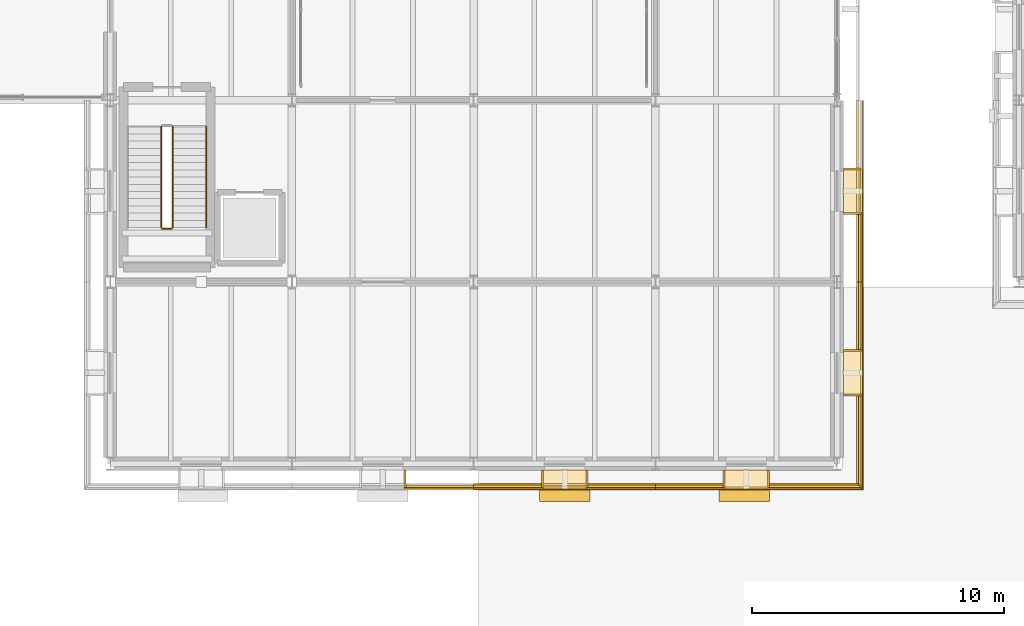
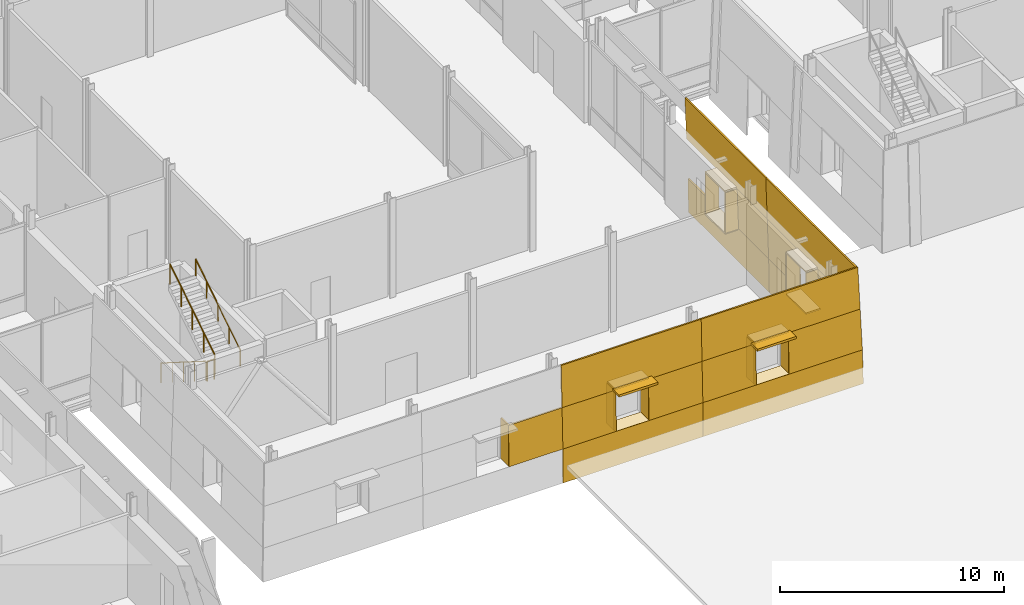
# One storey, part 103 of 120: 33 coverings, 4 railings, 2 shading devices.
"""IFC4 building model written with IfcOpenShell, lengths in metres."""

from ifc_helpers import new_model, si_unit, direction, frame, origin, origin_2d, place, context, subcontext, project, spatial, polyline, rectangle, circle, outline, extrude, material, layer, layer_set, type_object, element, save


model = new_model("IFC4")

# Units and contexts
model_context = context("Model", 3, precision=1e-05, world=origin(), true_north=direction((0.0, 1.0)))
body_context = subcontext(model_context, "Body", "Model", "MODEL_VIEW")
ifc_project = project(units=[si_unit("LENGTHUNIT", "METRE"), si_unit("AREAUNIT", "SQUARE_METRE"), si_unit("VOLUMEUNIT", "CUBIC_METRE"), si_unit("PLANEANGLEUNIT", "RADIAN"), si_unit("MASSUNIT", "GRAM", prefix="KILO")], contexts=[model_context])

# Site, building, storey
site_placement = place(None, origin())
site = spatial("IfcSite", under=ifc_project, at=site_placement, CompositionType="ELEMENT")
building_placement = place(site_placement, origin())
building = spatial("IfcBuilding", under=site, at=building_placement, Name="Narikvali Park Central Library", CompositionType="ELEMENT")
storey_placement = place(building_placement, origin())
storey = spatial("IfcBuildingStorey", under=building, at=storey_placement, Name="L00", CompositionType="ELEMENT", Elevation=0.0)

# Coverings
ifc_material_1 = material(Name="White Honed Limestone Cladding", Category="masonry")
ifc_layer_1 = layer(ifc_material_1, 0.0849609375, Name="White Honed Limestone Cladding")
ifc_layer_set_1 = layer_set([ifc_layer_1], Name="White Honed Limestone Cladding")
covering_type_1 = type_object("IfcCoveringType", Name="Battered White Limestone Facade Cladding Panel", PredefinedType="CLADDING", material=ifc_layer_set_1)
covering_1_placement = place(storey_placement, frame((40.43994140625, 49.39208984375, 0.949951171875), z_axis=(0.0, -0.999435139525, 0.033606574995), x_axis=(1.0, 0.0, 0.0)))
element("IfcCovering", 1, at=covering_1_placement, inside=storey, type_object=covering_type_1, Name="V4 L00 S Battered Limestone Jamb Pier R B02", PredefinedType="CLADDING", context=body_context, shape_type="SweptSolid", body=[
    extrude(outline(polyline([(0.0, 0.0), (2.760009765625, 0.0), (2.760009765625, 2.201194539668489), (0.0, 2.201194539668489), (0.0, 0.0)])), origin(), (0.0, 0.0, -1.0), 0.0849609375),
])
covering_2_placement = place(storey_placement, frame((43.199951171875, 49.360107421875, -0.8798828125), z_axis=(0.0, -0.999847289173, 0.017475649751), x_axis=(1.0, 0.0, 0.0)))
element("IfcCovering", 2, at=covering_2_placement, inside=storey, type_object=covering_type_1, Name="V4 L00 S Battered Limestone Spandrel B03", PredefinedType="CLADDING", context=body_context, shape_type="SweptSolid", body=[
    extrude(outline(polyline([(0.0, 0.0), (7.199951171875, 0.0), (7.199951171875, 1.8301134625161029), (0.0, 1.8301134625161029), (0.0, 0.0)])), origin(), (0.0, 0.0, -1.0), 0.0849609375),
])
covering_3_placement = place(storey_placement, frame((43.199951171875, 49.466064453125, 3.14990234375), z_axis=(0.0, -0.999431101062, 0.033726461852), x_axis=(1.0, 0.0, 0.0)))
element("IfcCovering", 3, at=covering_3_placement, inside=storey, type_object=covering_type_1, Name="V4 L00 S Battered Limestone Lintel B03", PredefinedType="CLADDING", context=body_context, shape_type="SweptSolid", body=[
    extrude(outline(polyline([(0.0, 0.0), (7.199951171875, 0.0), (7.199951171875, 2.2512807512274695), (0.0, 2.2512807512274695), (0.0, 0.0)])), origin(), (0.0, 0.0, -1.0), 0.0849609375),
])
for number, where, z_axis, x_axis, name in (
    (4, (43.199951171875, 49.39208984375, 0.949951171875), (0.0, -0.999435139525, 0.033606574995), (1.0, 0.0, 0.0), "V4 L00 S Battered Limestone Jamb Pier L B03"),
    (5, (47.639892578125, 49.39208984375, 0.949951171875), (0.0, -0.999435139525, 0.033606574995), (1.0, 0.0, 0.0), "V4 L00 S Battered Limestone Jamb Pier R B03"),
):
    element("IfcCovering", number, at=place(storey_placement, frame(where, z_axis=z_axis, x_axis=x_axis)), inside=storey, type_object=covering_type_1, Name=name, PredefinedType="CLADDING", context=body_context, shape_type="SweptSolid", body=[
        extrude(outline(polyline([(0.0, 0.0), (2.760009765625, 0.0), (2.760009765625, 2.201194539668489), (0.0, 2.201194539668489), (0.0, 0.0)])), origin(), (0.0, 0.0, -1.0), 0.0849609375),
    ])
covering_4_placement = place(storey_placement, frame((50.39990234375, 49.360107421875, -0.8798828125), z_axis=(0.0, -0.999847289173, 0.017475649751), x_axis=(1.0, 0.0, 0.0)))
element("IfcCovering", 6, at=covering_4_placement, inside=storey, type_object=covering_type_1, Name="V4 L00 S Battered Limestone Spandrel B04", PredefinedType="CLADDING", context=body_context, shape_type="SweptSolid", body=[
    extrude(outline(polyline([(0.0, 0.0), (8.239990234375, 0.0), (8.2080078125, 1.8301134625161029), (0.0, 1.8301134625161029), (0.0, 0.0)])), origin(), (0.0, 0.0, -1.0), 0.0849609375),
])
covering_5_placement = place(storey_placement, frame((50.39990234375, 49.466064453125, 3.14990234375), z_axis=(0.0, -0.999431101062, 0.033726461852), x_axis=(1.0, 0.0, 0.0)))
element("IfcCovering", 7, at=covering_5_placement, inside=storey, type_object=covering_type_1, Name="V4 L00 S Battered Limestone Lintel B04", PredefinedType="CLADDING", context=body_context, shape_type="SweptSolid", body=[
    extrude(outline(polyline([(0.0, 0.0), (8.134033203125, 0.0), (8.05810546875, 2.2512807512274695), (0.0, 2.2512807512274695), (0.0, 0.0)])), origin(), (0.0, 0.0, -1.0), 0.0849609375),
])
covering_6_placement = place(storey_placement, frame((50.39990234375, 49.39208984375, 0.949951171875), z_axis=(0.0, -0.999435139525, 0.033606574995), x_axis=(1.0, 0.0, 0.0)))
element("IfcCovering", 8, at=covering_6_placement, inside=storey, type_object=covering_type_1, Name="V4 L00 S Battered Limestone Jamb Pier L B04", PredefinedType="CLADDING", context=body_context, shape_type="SweptSolid", body=[
    extrude(outline(polyline([(0.0, 0.0), (2.760009765625, 0.0), (2.760009765625, 2.201194539668489), (0.0, 2.201194539668489), (0.0, 0.0)])), origin(), (0.0, 0.0, -1.0), 0.0849609375),
])
covering_7_placement = place(storey_placement, frame((54.840087890625, 49.39208984375, 0.949951171875), z_axis=(0.0, -0.999435139525, 0.033606574995), x_axis=(1.0, 0.0, 0.0)))
element("IfcCovering", 9, at=covering_7_placement, inside=storey, type_object=covering_type_1, Name="V4 L00 S Battered Limestone Jamb Pier R B04", PredefinedType="CLADDING", context=body_context, shape_type="SweptSolid", body=[
    extrude(outline(polyline([(0.0, 0.0), (3.767822265625, 0.0), (3.69384765625, 2.201194539668488), (0.0, 2.201194539668488), (0.0, 0.0)])), origin(), (0.0, 0.0, -1.0), 0.0849609375),
])
covering_8_placement = place(storey_placement, frame((58.639892578125, 49.445068359375, -0.8798828125), z_axis=(0.999847289173, 0.0, 0.017475649751), x_axis=(0.0, 1.0, 0.0)))
element("IfcCovering", 10, at=covering_8_placement, inside=storey, type_object=covering_type_1, Name="V4 L00 E Battered Limestone Spandrel B01", PredefinedType="CLADDING", context=body_context, shape_type="SweptSolid", body=[
    extrude(outline(polyline([(0.0, 0.0), (8.155029296875, 0.0), (8.155029296875, 1.8301134625161026), (0.031982421875, 1.8301134625161026), (0.0, 0.0)])), origin(), (0.0, 0.0, -1.0), 0.0849609375),
])
covering_9_placement = place(storey_placement, frame((58.533935546875, 49.551025390625, 3.14990234375), z_axis=(0.999431101062, 0.0, 0.033726461852), x_axis=(0.0, 1.0, 0.0)))
element("IfcCovering", 11, at=covering_9_placement, inside=storey, type_object=covering_type_1, Name="V4 L00 E Battered Limestone Lintel B01", PredefinedType="CLADDING", context=body_context, shape_type="SweptSolid", body=[
    extrude(outline(polyline([(0.0, 0.0), (8.049072265625, 0.0), (8.049072265625, 2.2512807512274695), (0.075927734375, 2.2512807512274695), (0.0, 0.0)])), origin(), (0.0, 0.0, -1.0), 0.0849609375),
])
covering_10_placement = place(storey_placement, frame((58.60791015625, 49.47705078125, 0.949951171875), z_axis=(0.999435139525, 0.0, 0.033606574995), x_axis=(0.0, 1.0, 0.0)))
element("IfcCovering", 12, at=covering_10_placement, inside=storey, type_object=covering_type_1, Name="V4 L00 E Battered Limestone Jamb Pier L B01", PredefinedType="CLADDING", context=body_context, shape_type="SweptSolid", body=[
    extrude(outline(polyline([(0.0, 0.0), (3.682861328125, 0.0), (3.682861328125, 2.201194539668488), (0.073974609375, 2.201194539668488), (0.0, 0.0)])), origin(), (0.0, 0.0, -1.0), 0.0849609375),
])
covering_11_placement = place(storey_placement, frame((58.60791015625, 54.840087890625, 0.949951171875), z_axis=(0.999435139525, 0.0, 0.033606574995), x_axis=(0.0, 1.0, 0.0)))
element("IfcCovering", 13, at=covering_11_placement, inside=storey, type_object=covering_type_1, Name="V4 L00 E Battered Limestone Jamb Pier R B01", PredefinedType="CLADDING", context=body_context, shape_type="SweptSolid", body=[
    extrude(outline(polyline([(0.0, 0.0), (2.760009765625, 0.0), (2.760009765625, 2.201194539668489), (0.0, 2.201194539668489), (0.0, 0.0)])), origin(), (0.0, 0.0, -1.0), 0.0849609375),
])
covering_12_placement = place(storey_placement, frame((58.639892578125, 57.60009765625, -0.8798828125), z_axis=(0.999847289173, 0.0, 0.017475649751), x_axis=(0.0, 1.0, 0.0)))
element("IfcCovering", 14, at=covering_12_placement, inside=storey, type_object=covering_type_1, Name="V4 L00 E Battered Limestone Spandrel B02", PredefinedType="CLADDING", context=body_context, shape_type="SweptSolid", body=[
    extrude(outline(polyline([(0.0, 0.0), (7.199951171875, 0.0), (7.199951171875, 1.8301134625161029), (0.0, 1.8301134625161029), (0.0, 0.0)])), origin(), (0.0, 0.0, -1.0), 0.0849609375),
])
covering_13_placement = place(storey_placement, frame((58.533935546875, 57.60009765625, 3.14990234375), z_axis=(0.999431101062, 0.0, 0.033726461852), x_axis=(0.0, 1.0, 0.0)))
element("IfcCovering", 15, at=covering_13_placement, inside=storey, type_object=covering_type_1, Name="V4 L00 E Battered Limestone Lintel B02", PredefinedType="CLADDING", context=body_context, shape_type="SweptSolid", body=[
    extrude(outline(polyline([(0.0, 0.0), (7.199951171875, 0.0), (7.199951171875, 2.2512807512274695), (0.0, 2.2512807512274695), (0.0, 0.0)])), origin(), (0.0, 0.0, -1.0), 0.0849609375),
])
covering_14_placement = place(storey_placement, frame((58.60791015625, 57.60009765625, 0.949951171875), z_axis=(0.999435139525, 0.0, 0.033606574995), x_axis=(0.0, 1.0, 0.0)))
element("IfcCovering", 16, at=covering_14_placement, inside=storey, type_object=covering_type_1, Name="V4 L00 E Battered Limestone Jamb Pier L B02", PredefinedType="CLADDING", context=body_context, shape_type="SweptSolid", body=[
    extrude(outline(polyline([(0.0, 0.0), (2.760009765625, 0.0), (2.760009765625, 2.201194539668489), (0.0, 2.201194539668489), (0.0, 0.0)])), origin(), (0.0, 0.0, -1.0), 0.0849609375),
])

# Shading devices
ifc_material_2 = material(Name="Anodised Bronze Aluminium", Category="aluminium")
ifc_layer_2 = layer(ifc_material_2, 0.1201171875, Name="Anodised Bronze Aluminium")
ifc_layer_set_2 = layer_set([ifc_layer_2], Name="Anodised Bronze Aluminium")
shading_device_type = type_object("IfcShadingDeviceType", Name="Bronze Classical Cornice Sun Brise-Soleil 650", PredefinedType="SHUTTER", material=ifc_layer_set_2)
for number, where, z_axis, x_axis, name in (
    (17, (46.800048828125, 49.22607421875, 3.14990234375), (0.0, 0.0, 1.0), (1.0, 0.0, 0.0), "V4 L00 Classical Bronze Brise-Soleil 03"),
    (18, (53.923095703125, 49.22607421875, 3.14990234375), (0.0, 0.0, 1.0), (1.0, 0.0, 0.0), "V4 L00 Classical Bronze Brise-Soleil 04"),
):
    element("IfcShadingDevice", number, at=place(storey_placement, frame(where, z_axis=z_axis, x_axis=x_axis)), inside=storey, type_object=shading_device_type, Name=name, PredefinedType="SHUTTER", context=body_context, shape_type="SweptSolid", body=[
        extrude(rectangle(XDim=2.0, YDim=0.64990234375, at=origin_2d()), origin(), (0.0, 0.0, 1.0), 0.1201171875),
    ])

# Coverings
ifc_layer_3 = layer(ifc_material_1, 0.080078125, Name="White Honed Limestone Cladding")
ifc_layer_set_3 = layer_set([ifc_layer_3], Name="White Honed Limestone Cladding")
covering_type_2 = type_object("IfcCoveringType", Name="Deep Carved White Limestone Window Reveal", PredefinedType="CLADDING", material=ifc_layer_set_3)
covering_15_placement = place(storey_placement, frame((0.0, 0.0, 0.949951171875)))
element("IfcCovering", 19, at=covering_15_placement, inside=storey, type_object=covering_type_2, Name="Deep Stone Reveal Jamb R V4-RVL-L00-S-B02", PredefinedType="CLADDING", context=body_context, shape_type="SweptSolid", body=[
    extrude(outline(polyline([(40.43994140625, 50.155029296875), (40.52001953125, 50.155029296875), (40.52001953125, 49.466064453125), (40.43994140625, 49.466064453125), (40.43994140625, 50.155029296875)])), origin(), (0.0, 0.0, 1.0), 2.199951171875),
])
covering_16_placement = place(storey_placement, frame((0.0, 0.0, 3.14990234375)))
element("IfcCovering", 20, at=covering_16_placement, inside=storey, type_object=covering_type_2, Name="Deep Stone Reveal Head V4-RVL-L00-S-B03", PredefinedType="CLADDING", context=body_context, shape_type="SweptSolid", body=[
    extrude(outline(polyline([(45.919921875, 50.155029296875), (47.679931640625, 50.155029296875), (47.679931640625, 49.466064453125), (45.919921875, 49.466064453125), (45.919921875, 50.155029296875)])), origin(), (0.0, 0.0, 1.0), 0.080078125),
])
covering_17_placement = place(storey_placement, frame((0.0, 0.0, 0.8701171875)))
element("IfcCovering", 21, at=covering_17_placement, inside=storey, type_object=covering_type_2, Name="Deep Stone Reveal Sill V4-RVL-L00-S-B03", PredefinedType="CLADDING", context=body_context, shape_type="SweptSolid", body=[
    extrude(outline(polyline([(45.919921875, 50.155029296875), (47.679931640625, 50.155029296875), (47.679931640625, 49.39208984375), (45.919921875, 49.39208984375), (45.919921875, 50.155029296875)])), origin(), (0.0, 0.0, 1.0), 0.079833984375),
])
covering_18_placement = place(storey_placement, frame((0.0, 0.0, 0.949951171875)))
element("IfcCovering", 22, at=covering_18_placement, inside=storey, type_object=covering_type_2, Name="Deep Stone Reveal Jamb L V4-RVL-L00-S-B03", PredefinedType="CLADDING", context=body_context, shape_type="SweptSolid", body=[
    extrude(outline(polyline([(45.8798828125, 50.155029296875), (45.9599609375, 50.155029296875), (45.9599609375, 49.466064453125), (45.8798828125, 49.466064453125), (45.8798828125, 50.155029296875)])), origin(), (0.0, 0.0, 1.0), 2.199951171875),
])
covering_19_placement = place(storey_placement, frame((0.0, 0.0, 0.949951171875)))
element("IfcCovering", 23, at=covering_19_placement, inside=storey, type_object=covering_type_2, Name="Deep Stone Reveal Jamb R V4-RVL-L00-S-B03", PredefinedType="CLADDING", context=body_context, shape_type="SweptSolid", body=[
    extrude(outline(polyline([(47.639892578125, 50.155029296875), (47.719970703125, 50.155029296875), (47.719970703125, 49.466064453125), (47.639892578125, 49.466064453125), (47.639892578125, 50.155029296875)])), origin(), (0.0, 0.0, 1.0), 2.199951171875),
])
covering_20_placement = place(storey_placement, frame((0.0, 0.0, 3.14990234375)))
element("IfcCovering", 24, at=covering_20_placement, inside=storey, type_object=covering_type_2, Name="Deep Stone Reveal Head V4-RVL-L00-S-B04", PredefinedType="CLADDING", context=body_context, shape_type="SweptSolid", body=[
    extrude(outline(polyline([(53.1201171875, 50.155029296875), (54.8798828125, 50.155029296875), (54.8798828125, 49.466064453125), (53.1201171875, 49.466064453125), (53.1201171875, 50.155029296875)])), origin(), (0.0, 0.0, 1.0), 0.080078125),
])
covering_21_placement = place(storey_placement, frame((0.0, 0.0, 0.8701171875)))
element("IfcCovering", 25, at=covering_21_placement, inside=storey, type_object=covering_type_2, Name="Deep Stone Reveal Sill V4-RVL-L00-S-B04", PredefinedType="CLADDING", context=body_context, shape_type="SweptSolid", body=[
    extrude(outline(polyline([(53.1201171875, 50.155029296875), (54.8798828125, 50.155029296875), (54.8798828125, 49.39208984375), (53.1201171875, 49.39208984375), (53.1201171875, 50.155029296875)])), origin(), (0.0, 0.0, 1.0), 0.079833984375),
])
covering_22_placement = place(storey_placement, frame((0.0, 0.0, 0.949951171875)))
element("IfcCovering", 26, at=covering_22_placement, inside=storey, type_object=covering_type_2, Name="Deep Stone Reveal Jamb L V4-RVL-L00-S-B04", PredefinedType="CLADDING", context=body_context, shape_type="SweptSolid", body=[
    extrude(outline(polyline([(53.080078125, 50.155029296875), (53.159912109375, 50.155029296875), (53.159912109375, 49.466064453125), (53.080078125, 49.466064453125), (53.080078125, 50.155029296875)])), origin(), (0.0, 0.0, 1.0), 2.199951171875),
])
covering_23_placement = place(storey_placement, frame((0.0, 0.0, 0.949951171875)))
element("IfcCovering", 27, at=covering_23_placement, inside=storey, type_object=covering_type_2, Name="Deep Stone Reveal Jamb R V4-RVL-L00-S-B04", PredefinedType="CLADDING", context=body_context, shape_type="SweptSolid", body=[
    extrude(outline(polyline([(54.840087890625, 50.155029296875), (54.919921875, 50.155029296875), (54.919921875, 49.466064453125), (54.840087890625, 49.466064453125), (54.840087890625, 50.155029296875)])), origin(), (0.0, 0.0, 1.0), 2.199951171875),
])
covering_24_placement = place(storey_placement, frame((0.0, 0.0, 3.14990234375)))
element("IfcCovering", 28, at=covering_24_placement, inside=storey, type_object=covering_type_2, Name="Deep Stone Reveal Head V4-RVL-L00-E-B01", PredefinedType="CLADDING", context=body_context, shape_type="SweptSolid", body=[
    extrude(outline(polyline([(57.844970703125, 53.1201171875), (57.844970703125, 54.8798828125), (58.533935546875, 54.8798828125), (58.533935546875, 53.1201171875), (57.844970703125, 53.1201171875)])), origin(), (0.0, 0.0, 1.0), 0.080078125),
])
covering_25_placement = place(storey_placement, frame((0.0, 0.0, 0.8701171875)))
element("IfcCovering", 29, at=covering_25_placement, inside=storey, type_object=covering_type_2, Name="Deep Stone Reveal Sill V4-RVL-L00-E-B01", PredefinedType="CLADDING", context=body_context, shape_type="SweptSolid", body=[
    extrude(outline(polyline([(57.844970703125, 53.1201171875), (57.844970703125, 54.8798828125), (58.60791015625, 54.8798828125), (58.60791015625, 53.1201171875), (57.844970703125, 53.1201171875)])), origin(), (0.0, 0.0, 1.0), 0.079833984375),
])
covering_26_placement = place(storey_placement, frame((0.0, 0.0, 0.949951171875)))
element("IfcCovering", 30, at=covering_26_placement, inside=storey, type_object=covering_type_2, Name="Deep Stone Reveal Jamb L V4-RVL-L00-E-B01", PredefinedType="CLADDING", context=body_context, shape_type="SweptSolid", body=[
    extrude(outline(polyline([(57.844970703125, 53.080078125), (57.844970703125, 53.159912109375), (58.533935546875, 53.159912109375), (58.533935546875, 53.080078125), (57.844970703125, 53.080078125)])), origin(), (0.0, 0.0, 1.0), 2.199951171875),
])
covering_27_placement = place(storey_placement, frame((0.0, 0.0, 0.949951171875)))
element("IfcCovering", 31, at=covering_27_placement, inside=storey, type_object=covering_type_2, Name="Deep Stone Reveal Jamb R V4-RVL-L00-E-B01", PredefinedType="CLADDING", context=body_context, shape_type="SweptSolid", body=[
    extrude(outline(polyline([(57.844970703125, 54.840087890625), (57.844970703125, 54.919921875), (58.533935546875, 54.919921875), (58.533935546875, 54.840087890625), (57.844970703125, 54.840087890625)])), origin(), (0.0, 0.0, 1.0), 2.199951171875),
])
covering_28_placement = place(storey_placement, frame((0.0, 0.0, 3.14990234375)))
element("IfcCovering", 32, at=covering_28_placement, inside=storey, type_object=covering_type_2, Name="Deep Stone Reveal Head V4-RVL-L00-E-B02", PredefinedType="CLADDING", context=body_context, shape_type="SweptSolid", body=[
    extrude(outline(polyline([(57.844970703125, 60.320068359375), (57.844970703125, 62.080078125), (58.533935546875, 62.080078125), (58.533935546875, 60.320068359375), (57.844970703125, 60.320068359375)])), origin(), (0.0, 0.0, 1.0), 0.080078125),
])
covering_29_placement = place(storey_placement, frame((0.0, 0.0, 0.8701171875)))
element("IfcCovering", 33, at=covering_29_placement, inside=storey, type_object=covering_type_2, Name="Deep Stone Reveal Sill V4-RVL-L00-E-B02", PredefinedType="CLADDING", context=body_context, shape_type="SweptSolid", body=[
    extrude(outline(polyline([(57.844970703125, 60.320068359375), (57.844970703125, 62.080078125), (58.60791015625, 62.080078125), (58.60791015625, 60.320068359375), (57.844970703125, 60.320068359375)])), origin(), (0.0, 0.0, 1.0), 0.079833984375),
])
covering_30_placement = place(storey_placement, frame((0.0, 0.0, 0.949951171875)))
element("IfcCovering", 34, at=covering_30_placement, inside=storey, type_object=covering_type_2, Name="Deep Stone Reveal Jamb L V4-RVL-L00-E-B02", PredefinedType="CLADDING", context=body_context, shape_type="SweptSolid", body=[
    extrude(outline(polyline([(57.844970703125, 60.280029296875), (57.844970703125, 60.360107421875), (58.533935546875, 60.360107421875), (58.533935546875, 60.280029296875), (57.844970703125, 60.280029296875)])), origin(), (0.0, 0.0, 1.0), 2.199951171875),
])
covering_31_placement = place(storey_placement, frame((0.0, 0.0, 0.949951171875)))
element("IfcCovering", 35, at=covering_31_placement, inside=storey, type_object=covering_type_2, Name="Deep Stone Reveal Jamb R V4-RVL-L00-E-B02", PredefinedType="CLADDING", context=body_context, shape_type="SweptSolid", body=[
    extrude(outline(polyline([(57.844970703125, 62.0400390625), (57.844970703125, 62.1201171875), (58.533935546875, 62.1201171875), (58.533935546875, 62.0400390625), (57.844970703125, 62.0400390625)])), origin(), (0.0, 0.0, 1.0), 2.199951171875),
])

# Railings
ifc_material_3 = material(Name="Brushed Stainless Steel S355", Category="steel")
ifc_layer_4 = layer(ifc_material_3, 0.044921875, Name="Brushed Stainless Steel S355")
ifc_layer_set_4 = layer_set([ifc_layer_4], Name="Brushed Stainless Steel S355")
railing_type_1 = type_object("IfcRailingType", Name="Stair Tubular Steel Handrail 900", PredefinedType="HANDRAIL", material=ifc_layer_set_4)
railing_1_placement = place(storey_placement, frame((32.60009765625, 59.760009765625, 2.8798828125)))
element("IfcRailing", 36, at=railing_1_placement, inside=storey, type_object=railing_type_1, Name="L00 ST-07 stair handrail 2", PredefinedType="HANDRAIL", context=body_context, shape_type="SweptSolid", body=[
    extrude(circle(Radius=0.02392578125, at=origin_2d()), frame((0.0, 0.0, 0.8759765625), z_axis=(0.0, 0.845486444383, 0.533996884227), x_axis=(-1.0, 0.0, 0.0)), (0.0, 0.0, 1.0), 4.71923828125),
    extrude(circle(Radius=0.02099609375, at=origin_2d()), origin(), (0.0, 0.0, 1.0), 0.851806640625),
    extrude(circle(Radius=0.02099609375, at=origin_2d()), frame((0.0, 0.99755859375, 0.6298828125)), (0.0, 0.0, 1.0), 0.851806640625),
    extrude(circle(Radius=0.02099609375, at=origin_2d()), frame((0.0, 1.9951171875, 1.260009765625)), (0.0, 0.0, 1.0), 0.851806640625),
    extrude(circle(Radius=0.02099609375, at=origin_2d()), frame((0.0, 2.992431640625, 1.89013671875)), (0.0, 0.0, 1.0), 0.851806640625),
    extrude(circle(Radius=0.02099609375, at=origin_2d()), frame((0.0, 3.989990234375, 2.52001953125)), (0.0, 0.0, 1.0), 0.851806640625),
])
ifc_material_4 = material(Name="Powder-Coated Steel S275", Category="steel")
ifc_layer_5 = layer(ifc_material_4, 0.050048828125, Name="Powder-Coated Steel S275")
ifc_layer_set_5 = layer_set([ifc_layer_5], Name="Powder-Coated Steel S275")
railing_type_2 = type_object("IfcRailingType", Name="Stair Well Steel Guardrail 1100", PredefinedType="GUARDRAIL", material=ifc_layer_set_5)
railing_2_placement = place(storey_placement, frame((30.820068359375, 63.75, 0.179931640625)))
element("IfcRailing", 37, at=railing_2_placement, inside=storey, type_object=railing_type_2, Name="L00 ST-07 stair guard 1", PredefinedType="GUARDRAIL", context=body_context, shape_type="SweptSolid", body=[
    extrude(circle(Radius=0.02392578125, at=origin_2d()), frame((0.0, 0.0, 1.076171875), z_axis=(0.0, -0.845486444383, 0.533996884227), x_axis=(1.0, 0.0, 0.0)), (0.0, 0.0, 1.0), 4.71923828125),
    extrude(circle(Radius=0.02099609375, at=origin_2d()), origin(), (0.0, 0.0, 1.0), 1.052001953125),
    extrude(circle(Radius=0.02099609375, at=origin_2d()), frame((0.0, -0.99755859375, 0.6298828125)), (0.0, 0.0, 1.0), 1.052001953125),
    extrude(circle(Radius=0.02099609375, at=origin_2d()), frame((0.0, -1.9951171875, 1.260009765625)), (0.0, 0.0, 1.0), 1.052001953125),
    extrude(circle(Radius=0.02099609375, at=origin_2d()), frame((0.0, -2.992431640625, 1.89013671875)), (0.0, 0.0, 1.0), 1.052001953125),
    extrude(circle(Radius=0.02099609375, at=origin_2d()), frame((0.0, -3.989990234375, 2.52001953125)), (0.0, 0.0, 1.0), 1.052001953125),
])
railing_3_placement = place(storey_placement, frame((30.8701171875, 59.7099609375, 2.699951171875)))
element("IfcRailing", 38, at=railing_3_placement, inside=storey, type_object=railing_type_2, Name="L00 ST-07 stair guard 2", PredefinedType="GUARDRAIL", context=body_context, shape_type="SweptSolid", body=[
    extrude(circle(Radius=0.02392578125, at=origin_2d()), frame((0.0, 0.0, 1.076171875), z_axis=(1.0, 0.0, 0.0), x_axis=(0.0, 1.0, 0.0)), (0.0, 0.0, 1.0), 0.35986328125),
    extrude(circle(Radius=0.02099609375, at=origin_2d()), origin(), (0.0, 0.0, 1.0), 1.052001953125),
    extrude(circle(Radius=0.02099609375, at=origin_2d()), frame((0.35986328125, 0.0, 0.0)), (0.0, 0.0, 1.0), 1.052001953125),
])
railing_4_placement = place(storey_placement, frame((31.280029296875, 59.760009765625, 2.8798828125)))
element("IfcRailing", 39, at=railing_4_placement, inside=storey, type_object=railing_type_2, Name="L00 ST-07 stair guard 3", PredefinedType="GUARDRAIL", context=body_context, shape_type="SweptSolid", body=[
    extrude(circle(Radius=0.02392578125, at=origin_2d()), frame((0.0, 0.0, 1.076171875), z_axis=(0.0, 0.845486444383, 0.533996884227), x_axis=(-1.0, 0.0, 0.0)), (0.0, 0.0, 1.0), 4.71923828125),
    extrude(circle(Radius=0.02099609375, at=origin_2d()), origin(), (0.0, 0.0, 1.0), 1.052001953125),
    extrude(circle(Radius=0.02099609375, at=origin_2d()), frame((0.0, 0.99755859375, 0.6298828125)), (0.0, 0.0, 1.0), 1.052001953125),
    extrude(circle(Radius=0.02099609375, at=origin_2d()), frame((0.0, 1.9951171875, 1.260009765625)), (0.0, 0.0, 1.0), 1.052001953125),
    extrude(circle(Radius=0.02099609375, at=origin_2d()), frame((0.0, 2.992431640625, 1.89013671875)), (0.0, 0.0, 1.0), 1.052001953125),
    extrude(circle(Radius=0.02099609375, at=origin_2d()), frame((0.0, 3.989990234375, 2.52001953125)), (0.0, 0.0, 1.0), 1.052001953125),
])

save(model, "model.ifc")
